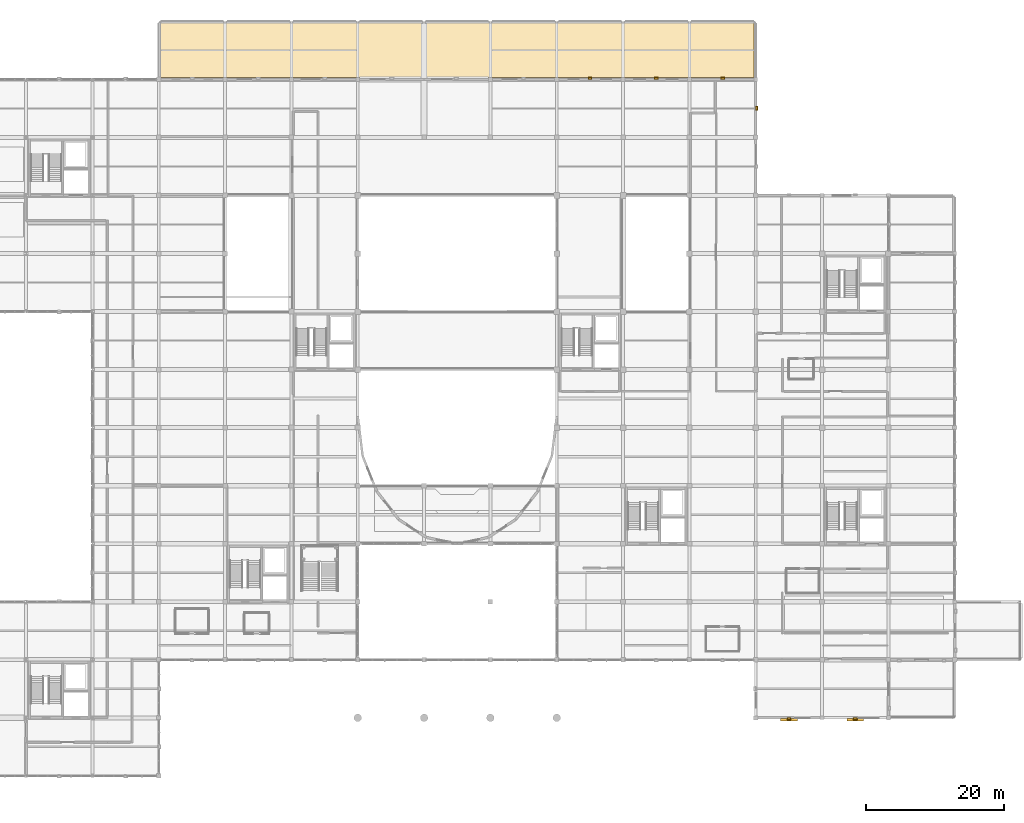
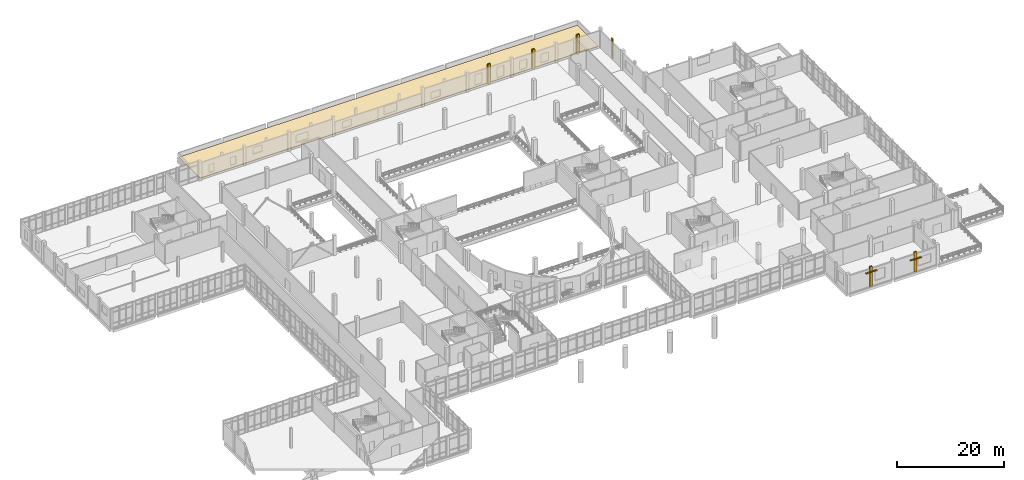
# One storey, part 101 of 102: 7 coverings, 2 shading devices.
"""IFC4 building model written with IfcOpenShell, lengths in metres."""

from ifc_helpers import new_model, si_unit, direction, frame, origin, origin_2d, place, context, subcontext, project, spatial, polyline, rectangle, outline, extrude, material, layer, layer_set, type_object, element, save


model = new_model("IFC4")

# Units and contexts
model_context = context("Model", 3, precision=1e-05, world=origin(), true_north=direction((0.0, 1.0)))
body_context = subcontext(model_context, "Body", "Model", "MODEL_VIEW")
ifc_project = project(units=[si_unit("LENGTHUNIT", "METRE"), si_unit("AREAUNIT", "SQUARE_METRE"), si_unit("VOLUMEUNIT", "CUBIC_METRE"), si_unit("PLANEANGLEUNIT", "RADIAN"), si_unit("MASSUNIT", "GRAM", prefix="KILO")], contexts=[model_context])

# Site, building, storey
site_placement = place(None, origin())
site = spatial("IfcSite", under=ifc_project, at=site_placement, CompositionType="ELEMENT")
building_placement = place(site_placement, origin())
building = spatial("IfcBuilding", under=site, at=building_placement, Name="Lornevale Opera House", CompositionType="ELEMENT")
storey_placement = place(building_placement, frame((0.0, 0.0, 5.39990234375)))
storey = spatial("IfcBuildingStorey", under=building, at=storey_placement, Name="L02", CompositionType="ELEMENT", Elevation=5.39990234375)

# Coverings
ifc_material_1 = material(Name="Vegetated Extensive Green Roof Assembly")
ifc_layer_1 = layer(ifc_material_1, 0.159912109375)
ifc_layer_set_1 = layer_set([ifc_layer_1], Name="Vegetated Extensive Green Roof Assembly")
covering_type_1 = type_object("IfcCoveringType", Name="Chapter 492 Green Roof Covering", PredefinedType="ROOFING", material=ifc_layer_set_1)
covering_1_placement = place(storey_placement, origin())
element("IfcCovering", 1, at=covering_1_placement, inside=storey, type_object=covering_type_1, Name="Chapter 492 Green Roof Covering 0560", PredefinedType="ROOFING", context=body_context, shape_type="SweptSolid", body=[
    extrude(outline(polyline([(124.5400390625, 108.93994140625), (124.5400390625, 101.06005859375), (38.659912109375, 101.06005859375), (38.659912109375, 108.93994140625), (124.5400390625, 108.93994140625)])), origin(), (0.0, 0.0, 1.0), 0.16015625),
])
ifc_material_2 = material(Name="Precast Concrete 40 MPa (CSA A23.1 C-1)", Category="concrete")
ifc_layer_2 = layer(ifc_material_2, 0.260009765625)
ifc_layer_set_2 = layer_set([ifc_layer_2], Name="Precast Concrete 40 MPa (CSA A23.1 C-1)")
covering_type_2 = type_object("IfcCoveringType", Name="Postmodern Sandstone Pilaster Rib", PredefinedType="CLADDING", material=ifc_layer_set_2)
covering_2_placement = place(storey_placement, origin())
element("IfcCovering", 2, at=covering_2_placement, inside=storey, type_object=covering_type_2, Name="Postmodern Sandstone Pilaster 0223", PredefinedType="CLADDING", context=body_context, shape_type="SweptSolid", body=[
    extrude(outline(polyline([(100.531982421875, 100.800048828125), (101.092041015625, 100.800048828125), (101.092041015625, 101.080078125), (100.531982421875, 101.080078125), (100.531982421875, 100.800048828125)])), origin(), (0.0, 0.0, 1.0), 4.52001953125),
])
covering_3_placement = place(storey_placement, origin())
element("IfcCovering", 3, at=covering_3_placement, inside=storey, type_object=covering_type_2, Name="Postmodern Sandstone Pilaster 0225", PredefinedType="CLADDING", context=body_context, shape_type="SweptSolid", body=[
    extrude(outline(polyline([(110.10791015625, 100.800048828125), (110.66796875, 100.800048828125), (110.66796875, 101.080078125), (110.10791015625, 101.080078125), (110.10791015625, 100.800048828125)])), origin(), (0.0, 0.0, 1.0), 4.52001953125),
])
covering_4_placement = place(storey_placement, origin())
element("IfcCovering", 4, at=covering_4_placement, inside=storey, type_object=covering_type_2, Name="Postmodern Sandstone Pilaster 0228", PredefinedType="CLADDING", context=body_context, shape_type="SweptSolid", body=[
    extrude(outline(polyline([(119.73291015625, 100.800048828125), (120.29296875, 100.800048828125), (120.29296875, 101.080078125), (119.73291015625, 101.080078125), (119.73291015625, 100.800048828125)])), origin(), (0.0, 0.0, 1.0), 4.52001953125),
])
covering_5_placement = place(storey_placement, origin())
element("IfcCovering", 5, at=covering_5_placement, inside=storey, type_object=covering_type_2, Name="Postmodern Sandstone Pilaster 0229", PredefinedType="CLADDING", context=body_context, shape_type="SweptSolid", body=[
    extrude(outline(polyline([(124.800048828125, 96.905029296875), (124.800048828125, 96.344970703125), (125.080078125, 96.344970703125), (125.080078125, 96.905029296875), (124.800048828125, 96.905029296875)])), origin(), (0.0, 0.0, 1.0), 4.52001953125),
])
covering_6_placement = place(storey_placement, origin())
element("IfcCovering", 6, at=covering_6_placement, inside=storey, type_object=covering_type_2, Name="Postmodern Sandstone Pilaster 0230", PredefinedType="CLADDING", context=body_context, shape_type="SweptSolid", body=[
    extrude(outline(polyline([(129.89208984375, 8.39990234375), (129.33203125, 8.39990234375), (129.33203125, 8.1201171875), (129.89208984375, 8.1201171875), (129.89208984375, 8.39990234375)])), origin(), (0.0, 0.0, 1.0), 4.52001953125),
])
covering_7_placement = place(storey_placement, origin())
element("IfcCovering", 7, at=covering_7_placement, inside=storey, type_object=covering_type_2, Name="Postmodern Sandstone Pilaster 0233", PredefinedType="CLADDING", context=body_context, shape_type="SweptSolid", body=[
    extrude(outline(polyline([(139.468017578125, 8.39990234375), (138.907958984375, 8.39990234375), (138.907958984375, 8.1201171875), (139.468017578125, 8.1201171875), (139.468017578125, 8.39990234375)])), origin(), (0.0, 0.0, 1.0), 4.52001953125),
])

# Shading devices
ifc_material_3 = material(Name="Architectural Bronze Solar Louvre Alloy", Category="metal")
ifc_layer_3 = layer(ifc_material_3, 0.1201171875)
ifc_layer_set_3 = layer_set([ifc_layer_3], Name="Architectural Bronze Solar Louvre Alloy")
shading_device_type = type_object("IfcShadingDeviceType", Name="Postmodern Solar Brise-Soleil", PredefinedType="JALOUSIE", material=ifc_layer_set_3)
for number, where, z_axis, x_axis, name in (
    (8, (129.613037109375, 8.087890625, 3.320068359375), (0.0, 0.0, 1.0), (1.0, 0.0, 0.0), "Postmodern Solar Brise-Soleil SH-001"),
    (9, (139.18798828125, 8.087890625, 2.919921875), (0.0, 0.0, 1.0), (1.0, 0.0, 0.0), "Postmodern Solar Brise-Soleil SH-002"),
):
    element("IfcShadingDevice", number, at=place(storey_placement, frame(where, z_axis=z_axis, x_axis=x_axis)), inside=storey, type_object=shading_device_type, Name=name, PredefinedType="JALOUSIE", context=body_context, shape_type="SweptSolid", body=[
        extrude(rectangle(XDim=2.39990234375, YDim=0.360107421875, at=origin_2d()), origin(), (0.0, 0.0, 1.0), 0.1201171875),
    ])

save(model, "model.ifc")
